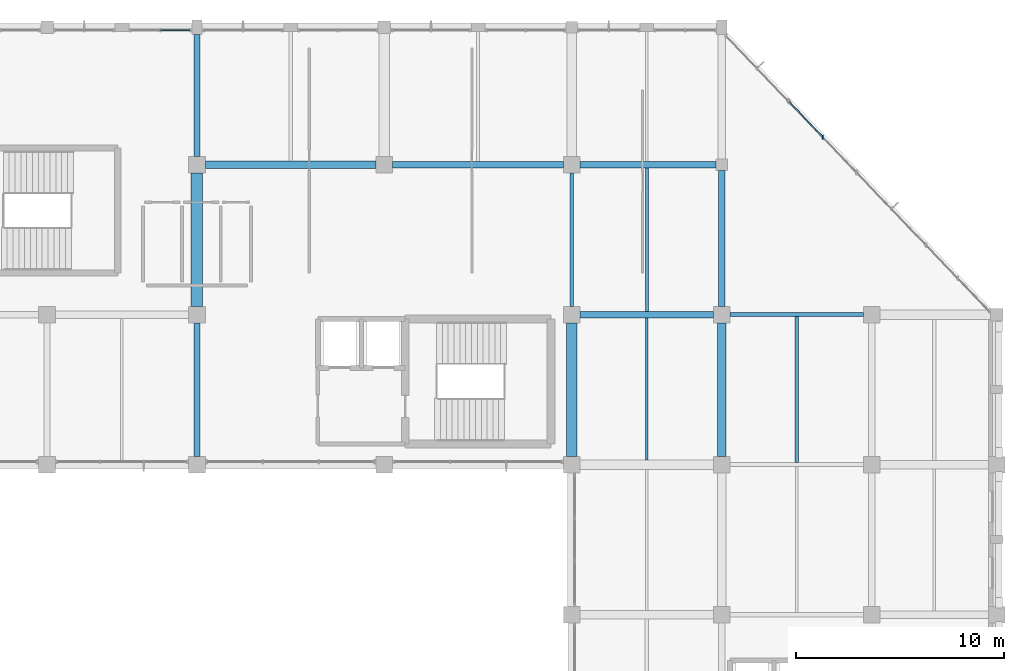
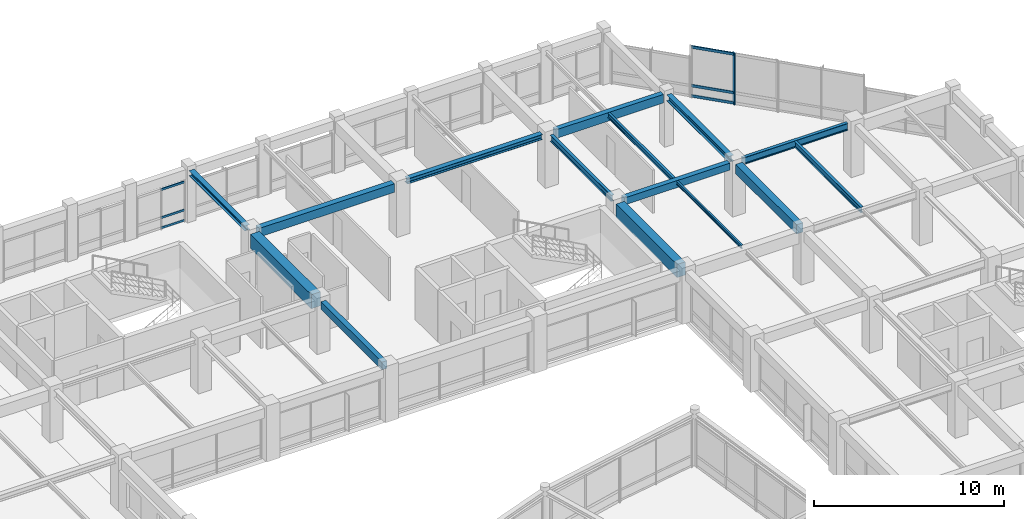
# One storey, part 39 of 74: 15 beams, 7 members, 2 elements without a shape of their own.
"""IFC4 building model written with IfcOpenShell, lengths in metres."""

from ifc_helpers import new_model, si_unit, direction, frame, origin, origin_2d, place, context, subcontext, project, spatial, rectangle, i_section, extrude, material, material_profile, profile_set, type_object, element, aggregate, save


model = new_model("IFC4")

# Units and contexts
model_context = context("Model", 3, precision=1e-05, world=origin(), true_north=direction((0.0, 1.0)))
body_context = subcontext(model_context, "Body", "Model", "MODEL_VIEW")
ifc_project = project(units=[si_unit("LENGTHUNIT", "METRE"), si_unit("AREAUNIT", "SQUARE_METRE"), si_unit("VOLUMEUNIT", "CUBIC_METRE"), si_unit("PLANEANGLEUNIT", "RADIAN"), si_unit("MASSUNIT", "GRAM", prefix="KILO")], contexts=[model_context])

# Site, building, storey
site_placement = place(None, origin())
site = spatial("IfcSite", under=ifc_project, at=site_placement, CompositionType="ELEMENT")
building_placement = place(site_placement, origin())
building = spatial("IfcBuilding", under=site, at=building_placement, Name="Clarverna Civic Hall", CompositionType="ELEMENT")
storey_placement = place(building_placement, frame((0.0, 0.0, 9.60009765625)))
storey = spatial("IfcBuildingStorey", under=building, at=storey_placement, Name="L02", CompositionType="ELEMENT", Elevation=9.60009765625)

# Beams
ifc_material_1 = material(Name="Concrete C35/45", Category="concrete")
ifc_material_profile_1 = material_profile(ifc_material_1, rectangle(XDim=0.5, YDim=0.85009765625, at=origin_2d()), Name="RC 500x850")
ifc_profile_set_1 = profile_set([ifc_material_profile_1], Name="Concrete C35/45")
beam_type_1 = type_object("IfcBeamType", Name="B-RC1", PredefinedType="BEAM", material=ifc_profile_set_1)
beam_1_placement = place(storey_placement, frame((147.60009765625, 95.39990234375, 2.89501953125), z_axis=(0.0, 1.0, 0.0), x_axis=(-1.0, 0.0, 0.0)))
element("IfcBeam", 1, at=beam_1_placement, inside=storey, type_object=beam_type_1, Name="B-RC1-024", PredefinedType="BEAM", context=body_context, shape_type="SweptSolid", body=[
    extrude(rectangle(XDim=0.5, YDim=0.85009765625, at=origin_2d()), origin(), (0.0, 0.0, 1.0), 6.400146484375),
])
ifc_material_profile_2 = material_profile(ifc_material_1, rectangle(XDim=0.300048828125, YDim=0.550048828125, at=origin_2d()), Name="RC 300x550")
ifc_profile_set_2 = profile_set([ifc_material_profile_2], Name="Concrete C35/45")
beam_type_2 = type_object("IfcBeamType", Name="B-RC11", PredefinedType="BEAM", material=ifc_profile_set_2)
beam_2_placement = place(storey_placement, frame((148.0, 109.39990234375, 3.044921875), z_axis=(1.0, 0.0, 0.0), x_axis=(0.0, 1.0, 0.0)))
element("IfcBeam", 2, at=beam_2_placement, inside=storey, type_object=beam_type_2, Name="B-RC11-029", PredefinedType="BEAM", context=body_context, shape_type="SweptSolid", body=[
    extrude(rectangle(XDim=0.300048828125, YDim=0.550048828125, at=origin_2d()), origin(), (0.0, 0.0, 1.0), 6.52490234375),
])
ifc_material_profile_3 = material_profile(ifc_material_1, rectangle(XDim=0.300048828125, YDim=0.5, at=origin_2d()), Name="RC 300x500")
ifc_profile_set_3 = profile_set([ifc_material_profile_3], Name="Concrete C35/45")
beam_type_3 = type_object("IfcBeamType", Name="B-RC12", PredefinedType="BEAM", material=ifc_profile_set_3)
beam_3_placement = place(storey_placement, frame((129.60009765625, 95.39990234375, 3.06982421875), z_axis=(0.0, 1.0, 0.0), x_axis=(-1.0, 0.0, 0.0)))
element("IfcBeam", 3, at=beam_3_placement, inside=storey, type_object=beam_type_3, Name="B-RC12-042", PredefinedType="BEAM", context=body_context, shape_type="SweptSolid", body=[
    extrude(rectangle(XDim=0.300048828125, YDim=0.5, at=origin_2d()), origin(), (0.0, 0.0, 1.0), 6.400146484375),
])
ifc_material_profile_4 = material_profile(ifc_material_1, rectangle(XDim=0.550048828125, YDim=0.89990234375, at=origin_2d()), Name="RC 550x900")
ifc_profile_set_4 = profile_set([ifc_material_profile_4], Name="Concrete C35/45")
beam_type_4 = type_object("IfcBeamType", Name="B-RC13", PredefinedType="BEAM", material=ifc_profile_set_4)
beam_4_placement = place(storey_placement, frame((129.60009765625, 102.60009765625, 2.869873046875), z_axis=(0.0, 1.0, 0.0), x_axis=(-1.0, 0.0, 0.0)))
element("IfcBeam", 4, at=beam_4_placement, inside=storey, type_object=beam_type_4, Name="B-RC13-030", PredefinedType="BEAM", context=body_context, shape_type="SweptSolid", body=[
    extrude(rectangle(XDim=0.550048828125, YDim=0.89990234375, at=origin_2d()), origin(), (0.0, 0.0, 1.0), 6.39990234375),
])
ifc_material_profile_5 = material_profile(ifc_material_1, rectangle(XDim=0.300048828125, YDim=0.449951171875, at=origin_2d()), Name="RC 300x450")
ifc_profile_set_5 = profile_set([ifc_material_profile_5], Name="Concrete C35/45")
beam_type_5 = type_object("IfcBeamType", Name="B-RC18", PredefinedType="BEAM", material=ifc_profile_set_5)
beam_5_placement = place(storey_placement, frame((148.0, 102.199951171875, 3.094970703125), z_axis=(1.0, 0.0, 0.0), x_axis=(0.0, 1.0, 0.0)))
element("IfcBeam", 5, at=beam_5_placement, inside=storey, type_object=beam_type_5, Name="B-RC18-035", PredefinedType="BEAM", context=body_context, shape_type="SweptSolid", body=[
    extrude(rectangle(XDim=0.300048828125, YDim=0.449951171875, at=origin_2d()), origin(), (0.0, 0.0, 1.0), 6.39990234375),
])
ifc_material_profile_6 = material_profile(ifc_material_1, rectangle(XDim=0.39990234375, YDim=0.60009765625, at=origin_2d()), Name="RC 400x600")
ifc_profile_set_6 = profile_set([ifc_material_profile_6], Name="Concrete C35/45")
beam_type_6 = type_object("IfcBeamType", Name="B-RC7", PredefinedType="BEAM", material=ifc_profile_set_6)
beam_6_placement = place(storey_placement, frame((154.800048828125, 95.39990234375, 3.02001953125), z_axis=(0.0, 1.0, 0.0), x_axis=(-1.0, 0.0, 0.0)))
element("IfcBeam", 6, at=beam_6_placement, inside=storey, type_object=beam_type_6, Name="B-RC7-028", PredefinedType="BEAM", context=body_context, shape_type="SweptSolid", body=[
    extrude(rectangle(XDim=0.39990234375, YDim=0.60009765625, at=origin_2d()), origin(), (0.0, 0.0, 1.0), 6.400146484375),
])
ifc_material_profile_7 = material_profile(ifc_material_1, rectangle(XDim=0.35009765625, YDim=0.550048828125, at=origin_2d()), Name="RC 350x550")
ifc_profile_set_7 = profile_set([ifc_material_profile_7], Name="Concrete C35/45")
beam_type_7 = type_object("IfcBeamType", Name="B-RC9", PredefinedType="BEAM", material=ifc_profile_set_7)
beam_7_placement = place(storey_placement, frame((130.0, 109.39990234375, 3.044921875), z_axis=(1.0, 0.0, 0.0), x_axis=(0.0, 1.0, 0.0)))
element("IfcBeam", 7, at=beam_7_placement, inside=storey, type_object=beam_type_7, Name="B-RC9-036", PredefinedType="BEAM", context=body_context, shape_type="SweptSolid", body=[
    extrude(rectangle(XDim=0.35009765625, YDim=0.550048828125, at=origin_2d()), origin(), (0.0, 0.0, 1.0), 8.199951171875),
])
ifc_material_2 = material(Name="Steel S355", Category="steel")
ifc_material_profile_8 = material_profile(ifc_material_2, i_section(OverallWidth=0.18994140625, OverallDepth=0.449951171875, WebThickness=0.009521484375, FlangeThickness=0.0146484375, FilletRadius=0.02099609375, at=origin_2d()), Name="IPE 450")
ifc_profile_set_8 = profile_set([ifc_material_profile_8], Name="Steel S355")
beam_type_8 = type_object("IfcBeamType", Name="B-ST13", PredefinedType="BEAM", material=ifc_profile_set_8)
beam_8_placement = place(storey_placement, frame((155.199951171875, 102.199951171875, 3.094970703125), z_axis=(1.0, 0.0, 0.0), x_axis=(0.0, 1.0, 0.0)))
element("IfcBeam", 8, at=beam_8_placement, inside=storey, type_object=beam_type_8, Name="B-ST13-009", PredefinedType="BEAM", context=body_context, shape_type="SweptSolid", body=[
    extrude(i_section(OverallWidth=0.18994140625, OverallDepth=0.449951171875, WebThickness=0.009521484375, FlangeThickness=0.0146484375, FilletRadius=0.02099609375, at=origin_2d()), origin(), (0.0, 0.0, 1.0), 6.400146484375),
])
ifc_material_profile_9 = material_profile(ifc_material_2, i_section(OverallWidth=0.179931640625, OverallDepth=0.39990234375, WebThickness=0.008544921875, FlangeThickness=0.013427734375, FilletRadius=0.02099609375, at=origin_2d()), Name="IPE 400")
ifc_profile_set_9 = profile_set([ifc_material_profile_9], Name="Steel S355")
beam_type_9 = type_object("IfcBeamType", Name="B-ST14", PredefinedType="BEAM", material=ifc_profile_set_9)
beam_9_placement = place(storey_placement, frame((147.60009765625, 102.60009765625, 3.119873046875), z_axis=(0.0, 1.0, 0.0), x_axis=(-1.0, 0.0, 0.0)))
element("IfcBeam", 9, at=beam_9_placement, inside=storey, type_object=beam_type_9, Name="B-ST14-013", PredefinedType="BEAM", context=body_context, shape_type="SweptSolid", body=[
    extrude(i_section(OverallWidth=0.179931640625, OverallDepth=0.39990234375, WebThickness=0.008544921875, FlangeThickness=0.013427734375, FilletRadius=0.02099609375, at=origin_2d()), origin(), (0.0, 0.0, 1.0), 6.39990234375),
])
ifc_material_profile_10 = material_profile(ifc_material_2, i_section(OverallWidth=0.300048828125, OverallDepth=0.389892578125, WebThickness=0.010986328125, FlangeThickness=0.01904296875, FilletRadius=0.027099609375, at=origin_2d()), Name="HEA 400")
ifc_profile_set_10 = profile_set([ifc_material_profile_10], Name="Steel S355")
beam_type_10 = type_object("IfcBeamType", Name="B-ST6", PredefinedType="BEAM", material=ifc_profile_set_10)
beam_10_placement = place(storey_placement, frame((154.800048828125, 102.60009765625, 3.125), z_axis=(0.0, 1.0, 0.0), x_axis=(-1.0, 0.0, 0.0)))
element("IfcBeam", 10, at=beam_10_placement, inside=storey, type_object=beam_type_10, Name="B-ST6-011", PredefinedType="BEAM", context=body_context, shape_type="SweptSolid", body=[
    extrude(i_section(OverallWidth=0.300048828125, OverallDepth=0.389892578125, WebThickness=0.010986328125, FlangeThickness=0.01904296875, FilletRadius=0.027099609375, at=origin_2d()), origin(), (0.0, 0.0, 1.0), 6.52490234375),
])
ifc_material_profile_11 = material_profile(ifc_material_2, i_section(OverallWidth=0.300048828125, OverallDepth=0.330078125, WebThickness=0.009521484375, FlangeThickness=0.0166015625, FilletRadius=0.027099609375, at=origin_2d()), Name="HEA 340")
ifc_profile_set_11 = profile_set([ifc_material_profile_11], Name="Steel S355")
beam_type_11 = type_object("IfcBeamType", Name="B-ST8", PredefinedType="BEAM", material=ifc_profile_set_11)
beam_11_placement = place(storey_placement, frame((139.0, 109.39990234375, 3.15478515625), z_axis=(1.0, 0.0, 0.0), x_axis=(0.0, 1.0, 0.0)))
element("IfcBeam", 11, at=beam_11_placement, inside=storey, type_object=beam_type_11, Name="B-ST8-075", PredefinedType="BEAM", context=body_context, shape_type="SweptSolid", body=[
    extrude(i_section(OverallWidth=0.300048828125, OverallDepth=0.330078125, WebThickness=0.009521484375, FlangeThickness=0.0166015625, FilletRadius=0.027099609375, at=origin_2d()), origin(), (0.0, 0.0, 1.0), 8.199951171875),
])
beam_12_placement = place(storey_placement, frame((129.60009765625, 109.800048828125, 3.15478515625), z_axis=(0.0, 1.0, 0.0), x_axis=(-1.0, 0.0, 0.0)))
element("IfcBeam", 12, at=beam_12_placement, inside=storey, type_object=beam_type_11, Name="B-ST8-077", PredefinedType="BEAM", context=body_context, shape_type="SweptSolid", body=[
    extrude(i_section(OverallWidth=0.300048828125, OverallDepth=0.330078125, WebThickness=0.009521484375, FlangeThickness=0.0166015625, FilletRadius=0.027099609375, at=origin_2d()), origin(), (0.0, 0.0, 1.0), 5.849853515625),
])

# Curtain wall, member
ifc_material_3 = material(Name="Anodised Bronze Architectural Aluminium", Category="aluminium")
curtain_wall_type = type_object("IfcCurtainWallType", Name="CW-01", PredefinedType="USERDEFINED", material=ifc_material_3)
curtain_wall_1_placement = place(storey_placement, origin())
curtain_wall_1 = element("IfcCurtainWall", 13, at=curtain_wall_1_placement, inside=storey, type_object=curtain_wall_type, Name="CW-01-041", ObjectType="UNITISED CURTAIN WALL", PredefinedType="USERDEFINED")
ifc_material_profile_12 = material_profile(ifc_material_3, rectangle(XDim=0.06494140625, YDim=0.199951171875, at=origin_2d()), Name="BRONZE 65x200")
ifc_profile_set_12 = profile_set([ifc_material_profile_12], Name="Anodised Bronze Architectural Aluminium")
member_type_1 = type_object("IfcMemberType", Name="CWM-03", PredefinedType="MULLION", material=ifc_profile_set_12)
member_1_placement = place(storey_placement, frame((159.648681640625, 110.728271484375, 0.0), z_axis=(0.0, 0.0, 1.0), x_axis=(1.0, 0.0, 0.0)))
member_1 = element("IfcMember", 14, at=member_1_placement, type_object=member_type_1, Name="CWM-03-083", PredefinedType="MULLION", context=body_context, shape_type="SweptSolid", body=[
    extrude(rectangle(XDim=0.06494140625, YDim=0.199951171875, at=origin_2d()), origin(), (0.0, 0.0, 1.0), 3.31982421875),
])

# Curtain wall, members
curtain_wall_2_placement = place(storey_placement, origin())
curtain_wall_2 = element("IfcCurtainWall", 15, at=curtain_wall_2_placement, inside=storey, type_object=curtain_wall_type, Name="CW-01-033", ObjectType="UNITISED CURTAIN WALL", PredefinedType="USERDEFINED")
ifc_material_profile_13 = material_profile(ifc_material_3, rectangle(XDim=0.06005859375, YDim=0.1298828125, at=origin_2d()), Name="BRONZE 60x130")
ifc_profile_set_13 = profile_set([ifc_material_profile_13], Name="Anodised Bronze Architectural Aluminium")
member_type_2 = type_object("IfcMemberType", Name="CWT-02", PredefinedType="USERDEFINED", material=ifc_profile_set_13)
member_2_placement = place(storey_placement, frame((127.8525390625, 115.860107421875, 0.094970703125), z_axis=(1.0, 0.0, 0.0), x_axis=(0.0, 1.0, 0.0)))
member_2 = element("IfcMember", 16, at=member_2_placement, type_object=member_type_2, Name="CWT-02-208", ObjectType="TRANSOM", PredefinedType="USERDEFINED", context=body_context, shape_type="SweptSolid", body=[
    extrude(rectangle(XDim=0.06005859375, YDim=0.1298828125, at=origin_2d()), origin(), (0.0, 0.0, 1.0), 1.409423828125),
])
member_3_placement = place(storey_placement, frame((127.8525390625, 115.860107421875, 0.75), z_axis=(1.0, 0.0, 0.0), x_axis=(0.0, 1.0, 0.0)))
member_3 = element("IfcMember", 17, at=member_3_placement, type_object=member_type_2, Name="CWT-02-209", ObjectType="TRANSOM", PredefinedType="USERDEFINED", context=body_context, shape_type="SweptSolid", body=[
    extrude(rectangle(XDim=0.06005859375, YDim=0.1298828125, at=origin_2d()), origin(), (0.0, 0.0, 1.0), 1.409423828125),
])
member_4_placement = place(storey_placement, frame((127.8525390625, 115.860107421875, 2.544921875), z_axis=(1.0, 0.0, 0.0), x_axis=(0.0, 1.0, 0.0)))
member_4 = element("IfcMember", 18, at=member_4_placement, type_object=member_type_2, Name="CWT-02-210", ObjectType="TRANSOM", PredefinedType="USERDEFINED", context=body_context, shape_type="SweptSolid", body=[
    extrude(rectangle(XDim=0.06005859375, YDim=0.1298828125, at=origin_2d()), origin(), (0.0, 0.0, 1.0), 1.409423828125),
])
aggregate(curtain_wall_2, [member_2, member_3, member_4])

# Member
ifc_material_profile_14 = material_profile(ifc_material_3, rectangle(XDim=0.06494140625, YDim=0.169921875, at=origin_2d()), Name="BRONZE 65x170")
ifc_profile_set_14 = profile_set([ifc_material_profile_14], Name="Anodised Bronze Architectural Aluminium")
member_type_3 = type_object("IfcMemberType", Name="CWT-03", PredefinedType="USERDEFINED", material=ifc_profile_set_14)
member_5_placement = place(storey_placement, frame((158.031982421875, 112.418701171875, 0.094970703125), z_axis=(0.691174945329, -0.722687480831, 0.0), x_axis=(0.722687480831, 0.691174945329, 0.0)))
member_5 = element("IfcMember", 19, at=member_5_placement, type_object=member_type_3, Name="CWT-03-172", ObjectType="TRANSOM", PredefinedType="USERDEFINED", context=body_context, shape_type="SweptSolid", body=[
    extrude(rectangle(XDim=0.06494140625, YDim=0.169921875, at=origin_2d()), origin(), (0.0, 0.0, 1.0), 2.32421875),
])

member_6_placement = place(storey_placement, frame((158.031982421875, 112.418701171875, 0.75), z_axis=(0.691174945329, -0.722687480831, 0.0), x_axis=(0.722687480831, 0.691174945329, 0.0)))
member_6 = element("IfcMember", 20, at=member_6_placement, type_object=member_type_3, Name="CWT-03-173", ObjectType="TRANSOM", PredefinedType="USERDEFINED", context=body_context, shape_type="SweptSolid", body=[
    extrude(rectangle(XDim=0.06494140625, YDim=0.169921875, at=origin_2d()), origin(), (0.0, 0.0, 1.0), 2.32421875),
])

member_7_placement = place(storey_placement, frame((158.031982421875, 112.418701171875, 3.224853515625), z_axis=(0.691174945329, -0.722687480831, 0.0), x_axis=(0.722687480831, 0.691174945329, 0.0)))
member_7 = element("IfcMember", 21, at=member_7_placement, type_object=member_type_3, Name="CWT-03-174", ObjectType="TRANSOM", PredefinedType="USERDEFINED", context=body_context, shape_type="SweptSolid", body=[
    extrude(rectangle(XDim=0.06494140625, YDim=0.169921875, at=origin_2d()), origin(), (0.0, 0.0, 1.0), 2.32421875),
])

aggregate(curtain_wall_1, [member_1, member_5, member_6, member_7])

# Beams
ifc_material_profile_15 = material_profile(ifc_material_2, i_section(OverallWidth=0.169921875, OverallDepth=0.360107421875, WebThickness=0.008056640625, FlangeThickness=0.0126953125, FilletRadius=0.01806640625, at=origin_2d()), Name="IPE 360")
ifc_profile_set_15 = profile_set([ifc_material_profile_15], Name="Steel S355")
beam_type_12 = type_object("IfcBeamType", Name="J-ST1", PredefinedType="JOIST", material=ifc_profile_set_15)
beam_13_placement = place(storey_placement, frame((158.39990234375, 95.10009765625, 3.139892578125), z_axis=(0.0, 1.0, 0.0), x_axis=(-1.0, 0.0, 0.0)))
element("IfcBeam", 22, at=beam_13_placement, inside=storey, type_object=beam_type_12, Name="J-ST1-057", PredefinedType="JOIST", context=body_context, shape_type="SweptSolid", body=[
    extrude(i_section(OverallWidth=0.169921875, OverallDepth=0.360107421875, WebThickness=0.008056640625, FlangeThickness=0.0126953125, FilletRadius=0.01806640625, at=origin_2d()), origin(), (0.0, 0.0, 1.0), 7.0048828125),
])
ifc_material_profile_16 = material_profile(ifc_material_2, i_section(OverallWidth=0.14990234375, OverallDepth=0.300048828125, WebThickness=0.007080078125, FlangeThickness=0.0107421875, FilletRadius=0.014892578125, at=origin_2d()), Name="IPE 300")
ifc_profile_set_16 = profile_set([ifc_material_profile_16], Name="Steel S355")
beam_type_13 = type_object("IfcBeamType", Name="J-ST3", PredefinedType="JOIST", material=ifc_profile_set_16)
beam_14_placement = place(storey_placement, frame((151.199951171875, 102.35009765625, 3.169921875), z_axis=(0.0, 1.0, 0.0), x_axis=(-1.0, 0.0, 0.0)))
element("IfcBeam", 23, at=beam_14_placement, inside=storey, type_object=beam_type_13, Name="J-ST3-058", PredefinedType="JOIST", context=body_context, shape_type="SweptSolid", body=[
    extrude(i_section(OverallWidth=0.14990234375, OverallDepth=0.300048828125, WebThickness=0.007080078125, FlangeThickness=0.0107421875, FilletRadius=0.014892578125, at=origin_2d()), origin(), (0.0, 0.0, 1.0), 6.89990234375),
])
ifc_material_profile_17 = material_profile(ifc_material_2, i_section(OverallWidth=0.110107421875, OverallDepth=0.219970703125, WebThickness=0.005859375, FlangeThickness=0.00927734375, FilletRadius=0.011962890625, at=origin_2d()), Name="IPE 220")
ifc_profile_set_17 = profile_set([ifc_material_profile_17], Name="Steel S355")
beam_type_14 = type_object("IfcBeamType", Name="J-ST6", PredefinedType="JOIST", material=ifc_profile_set_17)
beam_15_placement = place(storey_placement, frame((151.199951171875, 95.22509765625, 3.2099609375), z_axis=(0.0, 1.0, 0.0), x_axis=(-1.0, 0.0, 0.0)))
element("IfcBeam", 24, at=beam_15_placement, inside=storey, type_object=beam_type_14, Name="J-ST6-057", PredefinedType="JOIST", context=body_context, shape_type="SweptSolid", body=[
    extrude(i_section(OverallWidth=0.110107421875, OverallDepth=0.219970703125, WebThickness=0.005859375, FlangeThickness=0.00927734375, FilletRadius=0.011962890625, at=origin_2d()), origin(), (0.0, 0.0, 1.0), 6.824951171875),
])

save(model, "model.ifc")
